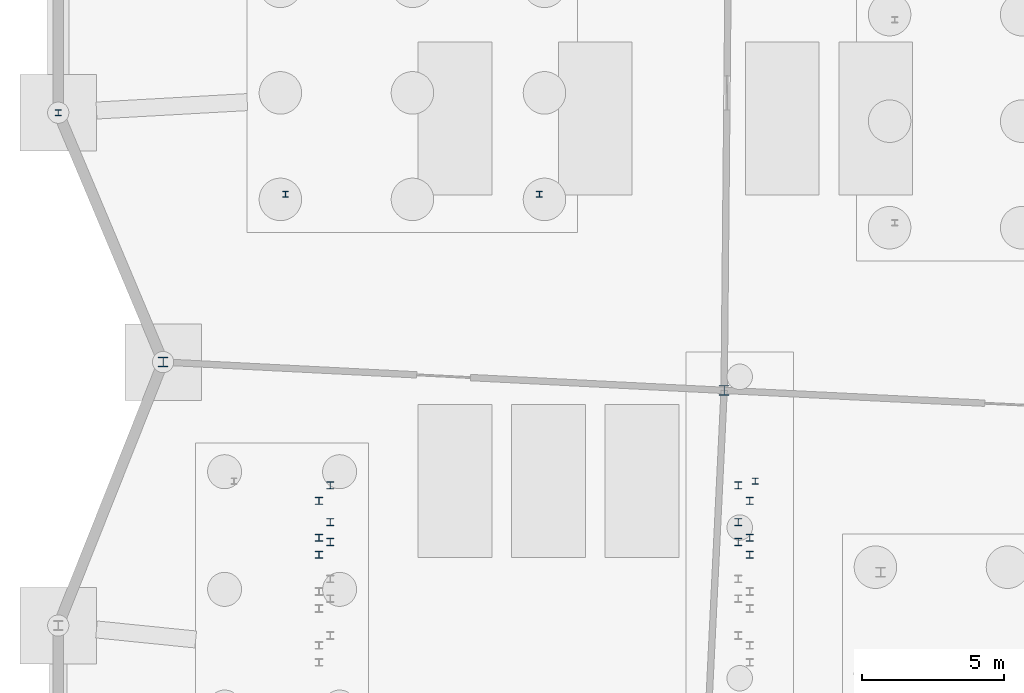
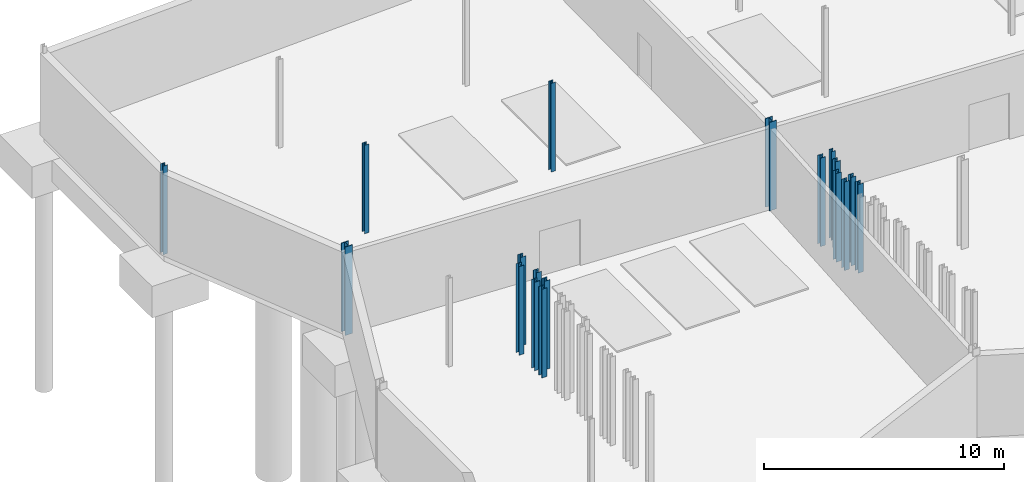
# One storey, part 6 of 37: 18 columns.
"""IFC4 building model written with IfcOpenShell, lengths in metres."""

from ifc_helpers import new_model, si_unit, direction, frame, origin, origin_2d, place, context, subcontext, project, spatial, i_section, extrude, material, material_profile, profile_set, type_object, element, save


model = new_model("IFC4")

# Units and contexts
model_context = context("Model", 3, precision=1e-05, world=origin(), true_north=direction((0.0, 1.0)))
body_context = subcontext(model_context, "Body", "Model", "MODEL_VIEW")
ifc_project = project(units=[si_unit("LENGTHUNIT", "METRE"), si_unit("AREAUNIT", "SQUARE_METRE"), si_unit("VOLUMEUNIT", "CUBIC_METRE"), si_unit("PLANEANGLEUNIT", "RADIAN"), si_unit("MASSUNIT", "GRAM", prefix="KILO")], contexts=[model_context])

# Site, building, storey
site_placement = place(None, origin())
site = spatial("IfcSite", under=ifc_project, at=site_placement, CompositionType="ELEMENT")
building_placement = place(site_placement, origin())
building = spatial("IfcBuilding", under=site, at=building_placement, Name="Tameran Prism Museum", CompositionType="ELEMENT")
storey_placement = place(building_placement, frame((0.0, 0.0, -4.5)))
storey = spatial("IfcBuildingStorey", under=building, at=storey_placement, Name="B1", CompositionType="ELEMENT", Elevation=-4.5)

# Columns
ifc_material_1 = material(Name="Steel Grade 300PLUS (300 MPa)", Category="steel")
ifc_material_profile_1 = material_profile(ifc_material_1, i_section(OverallWidth=0.205078125, OverallDepth=0.2099609375, WebThickness=0.00927734375, FlangeThickness=0.01416015625, FilletRadius=0.01025390625, at=origin_2d()))
ifc_profile_set_1 = profile_set([ifc_material_profile_1])
column_type_1 = type_object("IfcColumnType", Name="COL-UC200", PredefinedType="COLUMN", material=ifc_profile_set_1)
for number, where, z_axis, x_axis, name in (
    (1, (0.0, 31.800048828125, 0.0), (0.0, 0.0, 1.0), (1.0, 0.0, 0.0), "Column CV-03 B1"),
    (2, (8.02001953125, 28.919921875, 0.0), (0.0, 0.0, 1.0), (1.0, 0.0, 0.0), "Column CC-10-1 B1"),
    (3, (16.97998046875, 28.919921875, 0.0), (0.0, 0.0, 1.0), (1.0, 0.0, 0.0), "Column CC-10-2 B1"),
    (4, (24.60009765625, 18.800048828125, 0.0), (0.0, 0.0, 1.0), (1.0, 0.0, 0.0), "Column CA-04 B1"),
):
    element("IfcColumn", number, at=place(storey_placement, frame(where, z_axis=z_axis, x_axis=x_axis)), inside=storey, type_object=column_type_1, Name=name, PredefinedType="COLUMN", context=body_context, shape_type="SweptSolid", body=[
        extrude(i_section(OverallWidth=0.205078125, OverallDepth=0.2099609375, WebThickness=0.00927734375, FlangeThickness=0.01416015625, FilletRadius=0.01025390625, at=origin_2d()), origin(), (0.0, 0.0, 1.0), 4.5),
    ])
ifc_material_2 = material(Name="Steel Grade 300PLUS (300 MPa)", Category="steel")
ifc_material_profile_2 = material_profile(ifc_material_2, i_section(OverallWidth=0.25390625, OverallDepth=0.25390625, WebThickness=0.008544921875, FlangeThickness=0.01416015625, FilletRadius=0.0126953125, at=origin_2d()))
ifc_profile_set_2 = profile_set([ifc_material_profile_2])
column_type_2 = type_object("IfcColumnType", Name="COL-UC250B", PredefinedType="COLUMN", material=ifc_profile_set_2)
for number, where, z_axis, x_axis, name in (
    (5, (9.199951171875, 16.199951171875, 0.0), (0.0, 0.0, 1.0), (1.0, 0.0, 0.0), "Auditorium Subframe B1 Column CAT-B1-18"),
    (6, (24.39990234375, 16.199951171875, 0.0), (0.0, 0.0, 1.0), (1.0, 0.0, 0.0), "Auditorium Subframe B1 Column CAT-B1-20"),
    (7, (9.199951171875, 16.800048828125, 0.0), (0.0, 0.0, 1.0), (1.0, 0.0, 0.0), "Auditorium Subframe B1 Column CAT-B1-21"),
    (8, (9.199951171875, 18.10009765625, 0.0), (0.0, 0.0, 1.0), (1.0, 0.0, 0.0), "Auditorium Subframe B1 Column CAT-B1-22"),
    (9, (24.39990234375, 16.800048828125, 0.0), (0.0, 0.0, 1.0), (1.0, 0.0, 0.0), "Auditorium Subframe B1 Column CAT-B1-23"),
    (10, (24.39990234375, 18.10009765625, 0.0), (0.0, 0.0, 1.0), (1.0, 0.0, 0.0), "Auditorium Subframe B1 Column CAT-B1-24"),
    (11, (9.60009765625, 16.64990234375, 0.0), (0.0, 0.0, 1.0), (1.0, 0.0, 0.0), "Balcony Subframe B1 Column CAB-B1-30"),
    (12, (24.0, 16.64990234375, 0.0), (0.0, 0.0, 1.0), (1.0, 0.0, 0.0), "Balcony Subframe B1 Column CAB-B1-32"),
    (13, (9.60009765625, 17.35009765625, 0.0), (0.0, 0.0, 1.0), (1.0, 0.0, 0.0), "Balcony Subframe B1 Column CAB-B1-33"),
    (14, (9.60009765625, 18.64990234375, 0.0), (0.0, 0.0, 1.0), (1.0, 0.0, 0.0), "Balcony Subframe B1 Column CAB-B1-34"),
    (15, (24.0, 17.35009765625, 0.0), (0.0, 0.0, 1.0), (1.0, 0.0, 0.0), "Balcony Subframe B1 Column CAB-B1-35"),
    (16, (24.0, 18.64990234375, 0.0), (0.0, 0.0, 1.0), (1.0, 0.0, 0.0), "Balcony Subframe B1 Column CAB-B1-36"),
):
    element("IfcColumn", number, at=place(storey_placement, frame(where, z_axis=z_axis, x_axis=x_axis)), inside=storey, type_object=column_type_2, Name=name, PredefinedType="COLUMN", context=body_context, shape_type="SweptSolid", body=[
        extrude(i_section(OverallWidth=0.25390625, OverallDepth=0.25390625, WebThickness=0.008544921875, FlangeThickness=0.01416015625, FilletRadius=0.0126953125, at=origin_2d()), origin(), (0.0, 0.0, 1.0), 4.5),
    ])
ifc_material_3 = material(Name="Steel Grade 350 (350 MPa)", Category="steel")
ifc_material_profile_3 = material_profile(ifc_material_3, i_section(OverallWidth=0.35009765625, OverallDepth=0.35009765625, WebThickness=0.02001953125, FlangeThickness=0.028076171875, at=origin_2d()))
ifc_profile_set_3 = profile_set([ifc_material_profile_3])
column_type_3 = type_object("IfcColumnType", Name="COL-WC350", PredefinedType="COLUMN", material=ifc_profile_set_3)
for number, where, z_axis, x_axis, name in (
    (17, (3.699951171875, 23.0, 0.0), (0.0, 0.0, 1.0), (1.0, 0.0, 0.0), "Column CV-09 B1"),
    (18, (23.5, 22.0, 0.0), (0.0, 0.0, 1.0), (1.0, 0.0, 0.0), "Column CV-14 B1"),
):
    element("IfcColumn", number, at=place(storey_placement, frame(where, z_axis=z_axis, x_axis=x_axis)), inside=storey, type_object=column_type_3, Name=name, PredefinedType="COLUMN", context=body_context, shape_type="SweptSolid", body=[
        extrude(i_section(OverallWidth=0.35009765625, OverallDepth=0.35009765625, WebThickness=0.02001953125, FlangeThickness=0.028076171875, at=origin_2d()), origin(), (0.0, 0.0, 1.0), 4.5),
    ])

save(model, "model.ifc")
